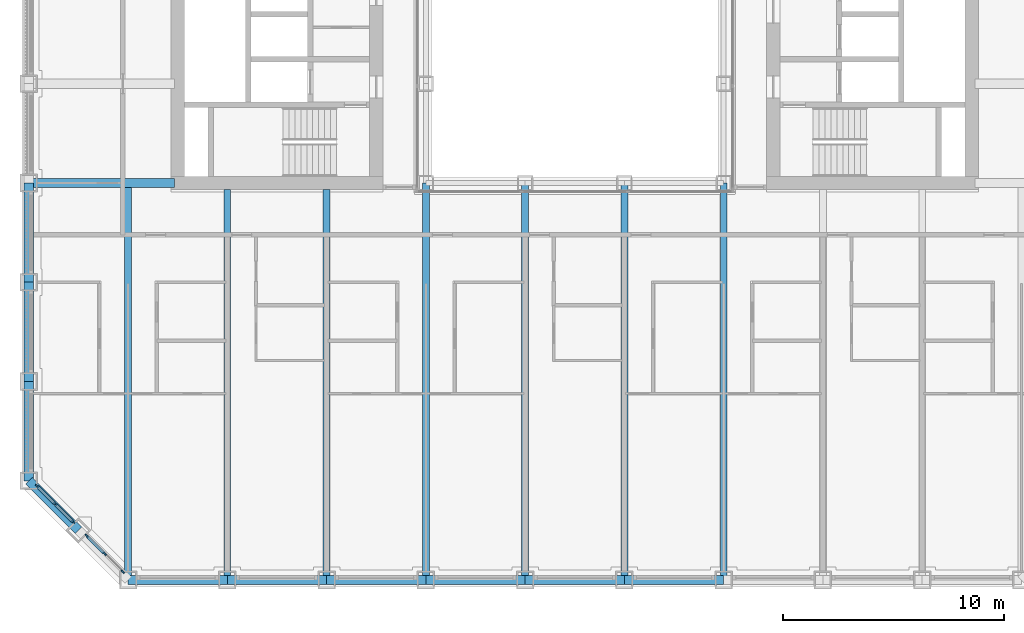
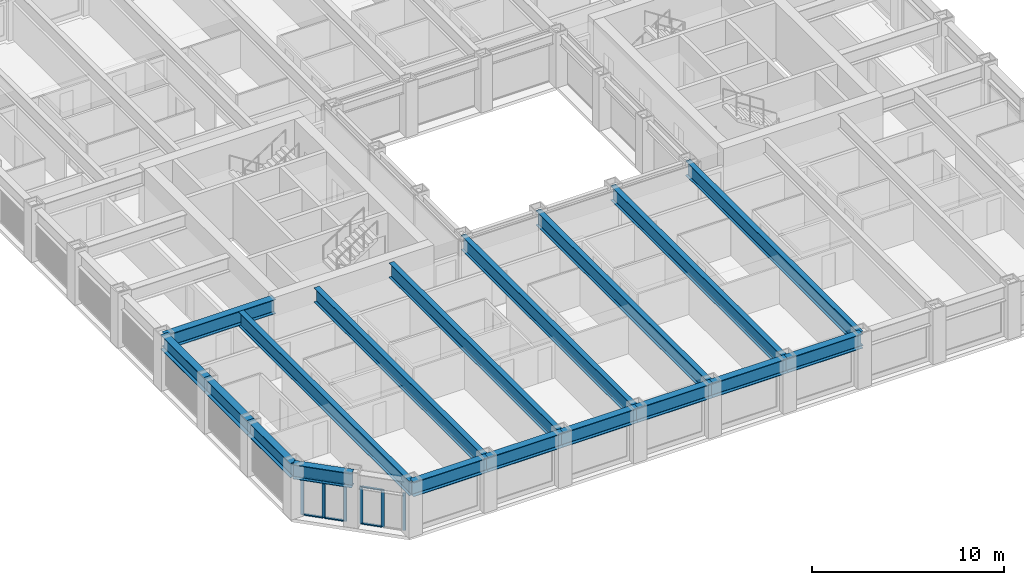
# One storey, part 2 of 21: 18 beams, 12 members, 2 elements without a shape of their own.
"""IFC4 building model written with IfcOpenShell, lengths in metres."""

from ifc_helpers import new_model, si_unit, direction, frame, origin, origin_2d, place, context, subcontext, project, spatial, rectangle, i_section, extrude, material, material_profile, profile_set, type_object, element, aggregate, save


model = new_model("IFC4")

# Units and contexts
model_context = context("Model", 3, precision=1e-05, world=origin(), true_north=direction((0.0, 1.0)))
body_context = subcontext(model_context, "Body", "Model", "MODEL_VIEW")
ifc_project = project(units=[si_unit("LENGTHUNIT", "METRE"), si_unit("AREAUNIT", "SQUARE_METRE"), si_unit("VOLUMEUNIT", "CUBIC_METRE"), si_unit("PLANEANGLEUNIT", "RADIAN"), si_unit("MASSUNIT", "GRAM", prefix="KILO")], contexts=[model_context])

# Site, building, storey
site_placement = place(None, origin())
site = spatial("IfcSite", under=ifc_project, at=site_placement, CompositionType="ELEMENT")
building_placement = place(site_placement, origin())
building = spatial("IfcBuilding", under=site, at=building_placement, Name="Msasa Ring Tower", CompositionType="ELEMENT")
storey_placement = place(building_placement, frame((0.0, 0.0, 44.0)))
storey = spatial("IfcBuildingStorey", under=building, at=storey_placement, Name="L10", CompositionType="ELEMENT", Elevation=44.0)

# Curtain wall, members
ifc_material_1 = material(Name="Aluminium curtain wall with clear glass", Category="aluminium")
curtain_wall_type = type_object("IfcCurtainWallType", Name="CW-C CHAMFER CORNER CURTAIN WALL", PredefinedType="NOTDEFINED", material=ifc_material_1)
curtain_wall_1_placement = place(storey_placement, origin())
curtain_wall_1 = element("IfcCurtainWall", 1, at=curtain_wall_1_placement, inside=storey, type_object=curtain_wall_type, Name="Chamfer corner curtain wall SW L10", PredefinedType="NOTDEFINED")
ifc_material_2 = material(Name="Aluminium mullion", Category="aluminium")
ifc_material_profile_1 = material_profile(ifc_material_2, rectangle(XDim=0.06494140625, YDim=0.179931640625, at=origin_2d()), Name="AL 65x180")
ifc_profile_set_1 = profile_set([ifc_material_profile_1], Name="Aluminium mullion")
member_type_1 = type_object("IfcMemberType", Name="CW-C MULLION 65x180", PredefinedType="MULLION", material=ifc_profile_set_1)
member_1_placement = place(storey_placement, frame((-24.369873046875, -20.48876953125, 0.0), z_axis=(0.0, 0.0, 1.0), x_axis=(0.707106781187, 0.707106781187, 0.0)))
member_1 = element("IfcMember", 2, at=member_1_placement, type_object=member_type_1, Name="CW-C mullion 1", PredefinedType="MULLION", context=body_context, shape_type="SweptSolid", body=[
    extrude(rectangle(XDim=0.06494140625, YDim=0.179931640625, at=origin_2d()), origin(), (0.0, 0.0, 1.0), 2.37890625),
])
member_2_placement = place(storey_placement, frame((-23.55419921875, -21.30419921875, 0.0), z_axis=(0.0, 0.0, 1.0), x_axis=(0.707106781187, 0.707106781187, 0.0)))
member_2 = element("IfcMember", 3, at=member_2_placement, type_object=member_type_1, Name="CW-C mullion 2", PredefinedType="MULLION", context=body_context, shape_type="SweptSolid", body=[
    extrude(rectangle(XDim=0.06494140625, YDim=0.179931640625, at=origin_2d()), origin(), (0.0, 0.0, 1.0), 2.37890625),
])
member_3_placement = place(storey_placement, frame((-22.73876953125, -22.119873046875, 0.0), z_axis=(0.0, 0.0, 1.0), x_axis=(0.707106781187, 0.707106781187, 0.0)))
member_3 = element("IfcMember", 4, at=member_3_placement, type_object=member_type_1, Name="CW-C mullion 3", PredefinedType="MULLION", context=body_context, shape_type="SweptSolid", body=[
    extrude(rectangle(XDim=0.06494140625, YDim=0.179931640625, at=origin_2d()), origin(), (0.0, 0.0, 1.0), 2.37890625),
])

curtain_wall_2_placement = place(storey_placement, origin())
curtain_wall_2 = element("IfcCurtainWall", 5, at=curtain_wall_2_placement, inside=storey, type_object=curtain_wall_type, Name="Chamfer corner curtain wall SW L10", PredefinedType="NOTDEFINED")
member_4_placement = place(storey_placement, frame((-22.119873046875, -22.73876953125, 0.0), z_axis=(0.0, 0.0, 1.0), x_axis=(0.707106781187, 0.707106781187, 0.0)))
member_4 = element("IfcMember", 6, at=member_4_placement, type_object=member_type_1, Name="CW-C mullion 1", PredefinedType="MULLION", context=body_context, shape_type="SweptSolid", body=[
    extrude(rectangle(XDim=0.06494140625, YDim=0.179931640625, at=origin_2d()), origin(), (0.0, 0.0, 1.0), 2.37890625),
])
member_5_placement = place(storey_placement, frame((-21.30419921875, -23.55419921875, 0.0), z_axis=(0.0, 0.0, 1.0), x_axis=(0.707106781187, 0.707106781187, 0.0)))
member_5 = element("IfcMember", 7, at=member_5_placement, type_object=member_type_1, Name="CW-C mullion 2", PredefinedType="MULLION", context=body_context, shape_type="SweptSolid", body=[
    extrude(rectangle(XDim=0.06494140625, YDim=0.179931640625, at=origin_2d()), origin(), (0.0, 0.0, 1.0), 2.37890625),
])
member_6_placement = place(storey_placement, frame((-20.48876953125, -24.369873046875, 0.0), z_axis=(0.0, 0.0, 1.0), x_axis=(0.707106781187, 0.707106781187, 0.0)))
member_6 = element("IfcMember", 8, at=member_6_placement, type_object=member_type_1, Name="CW-C mullion 3", PredefinedType="MULLION", context=body_context, shape_type="SweptSolid", body=[
    extrude(rectangle(XDim=0.06494140625, YDim=0.179931640625, at=origin_2d()), origin(), (0.0, 0.0, 1.0), 2.37890625),
])

# Member
ifc_material_3 = material(Name="Aluminium transom", Category="aluminium")
ifc_material_profile_2 = material_profile(ifc_material_3, rectangle(XDim=0.139892578125, YDim=0.06494140625, at=origin_2d()), Name="AL 65x140")
ifc_profile_set_2 = profile_set([ifc_material_profile_2], Name="Aluminium transom")
member_type_2 = type_object("IfcMemberType", Name="CW-C TRANSOM 65x140", PredefinedType="USERDEFINED", material=ifc_profile_set_2)
member_7_placement = place(storey_placement, frame((-24.346923828125, -20.51171875, 0.032470703125), z_axis=(0.707106781187, -0.707106781187, 0.0), x_axis=(0.707106781187, 0.707106781187, 0.0)))
member_7 = element("IfcMember", 9, at=member_7_placement, type_object=member_type_2, Name="CW-C transom 1.1", ObjectType="TRANSOM", PredefinedType="USERDEFINED", context=body_context, shape_type="SweptSolid", body=[
    extrude(rectangle(XDim=0.139892578125, YDim=0.06494140625, at=origin_2d()), origin(), (0.0, 0.0, 1.0), 1.08837890625),
])

member_8_placement = place(storey_placement, frame((-24.346923828125, -20.51171875, 2.346435546875), z_axis=(0.707106781187, -0.707106781187, 0.0), x_axis=(0.707106781187, 0.707106781187, 0.0)))
member_8 = element("IfcMember", 10, at=member_8_placement, type_object=member_type_2, Name="CW-C transom 1.2", ObjectType="TRANSOM", PredefinedType="USERDEFINED", context=body_context, shape_type="SweptSolid", body=[
    extrude(rectangle(XDim=0.139892578125, YDim=0.06494140625, at=origin_2d()), origin(), (0.0, 0.0, 1.0), 1.08837890625),
])

member_9_placement = place(storey_placement, frame((-23.53125, -21.327392578125, 0.032470703125), z_axis=(0.707106781187, -0.707106781187, 0.0), x_axis=(0.707106781187, 0.707106781187, 0.0)))
member_9 = element("IfcMember", 11, at=member_9_placement, type_object=member_type_2, Name="CW-C transom 2.1", ObjectType="TRANSOM", PredefinedType="USERDEFINED", context=body_context, shape_type="SweptSolid", body=[
    extrude(rectangle(XDim=0.139892578125, YDim=0.06494140625, at=origin_2d()), origin(), (0.0, 0.0, 1.0), 1.08837890625),
])

member_10_placement = place(storey_placement, frame((-23.53125, -21.327392578125, 2.346435546875), z_axis=(0.707106781187, -0.707106781187, 0.0), x_axis=(0.707106781187, 0.707106781187, 0.0)))
member_10 = element("IfcMember", 12, at=member_10_placement, type_object=member_type_2, Name="CW-C transom 2.2", ObjectType="TRANSOM", PredefinedType="USERDEFINED", context=body_context, shape_type="SweptSolid", body=[
    extrude(rectangle(XDim=0.139892578125, YDim=0.06494140625, at=origin_2d()), origin(), (0.0, 0.0, 1.0), 1.08837890625),
])

aggregate(curtain_wall_1, [member_1, member_2, member_3, member_7, member_8, member_9, member_10])

member_11_placement = place(storey_placement, frame((-22.096923828125, -22.76171875, 0.032470703125), z_axis=(0.707106781187, -0.707106781187, 0.0), x_axis=(0.707106781187, 0.707106781187, 0.0)))
member_11 = element("IfcMember", 13, at=member_11_placement, type_object=member_type_2, Name="CW-C transom 1.1", ObjectType="TRANSOM", PredefinedType="USERDEFINED", context=body_context, shape_type="SweptSolid", body=[
    extrude(rectangle(XDim=0.139892578125, YDim=0.06494140625, at=origin_2d()), origin(), (0.0, 0.0, 1.0), 1.08837890625),
])

member_12_placement = place(storey_placement, frame((-22.096923828125, -22.76171875, 2.346435546875), z_axis=(0.707106781187, -0.707106781187, 0.0), x_axis=(0.707106781187, 0.707106781187, 0.0)))
member_12 = element("IfcMember", 14, at=member_12_placement, type_object=member_type_2, Name="CW-C transom 1.2", ObjectType="TRANSOM", PredefinedType="USERDEFINED", context=body_context, shape_type="SweptSolid", body=[
    extrude(rectangle(XDim=0.139892578125, YDim=0.06494140625, at=origin_2d()), origin(), (0.0, 0.0, 1.0), 1.08837890625),
])

aggregate(curtain_wall_2, [member_4, member_5, member_6, member_11, member_12])

# Beams
ifc_material_4 = material(Name="Steel S355", Category="steel")
ifc_material_profile_3 = material_profile(ifc_material_4, i_section(OverallWidth=0.3076171875, OverallDepth=0.926513671875, WebThickness=0.01953125, FlangeThickness=0.031982421875, FilletRadius=0.01904296875, at=origin_2d()), Name="UB 914x305x289")
ifc_profile_set_3 = profile_set([ifc_material_profile_3], Name="Steel S355")
beam_type_1 = type_object("IfcBeamType", Name="FB3 UB 914x305x289", PredefinedType="BEAM", material=ifc_profile_set_3)
beam_1_placement = place(storey_placement, frame((-20.25, -24.75, 2.836669921875), z_axis=(0.0, 1.0, 0.0), x_axis=(-1.0, 0.0, 0.0)))
element("IfcBeam", 15, at=beam_1_placement, inside=storey, type_object=beam_type_1, Name="Floor beam S-20.25 under L11", PredefinedType="BEAM", context=body_context, shape_type="SweptSolid", body=[
    extrude(i_section(OverallWidth=0.3076171875, OverallDepth=0.926513671875, WebThickness=0.01953125, FlangeThickness=0.031982421875, FilletRadius=0.01904296875, at=origin_2d()), origin(), (0.0, 0.0, 1.0), 17.789794921875),
])
for number, where, z_axis, x_axis, name in (
    (16, (-15.75, -24.75, 2.836669921875), (0.0, 1.0, 0.0), (-1.0, 0.0, 0.0), "Floor beam S-15.75 under L11"),
    (17, (-11.25, -24.75, 2.836669921875), (0.0, 1.0, 0.0), (-1.0, 0.0, 0.0), "Floor beam S-11.25 under L11"),
):
    element("IfcBeam", number, at=place(storey_placement, frame(where, z_axis=z_axis, x_axis=x_axis)), inside=storey, type_object=beam_type_1, Name=name, PredefinedType="BEAM", context=body_context, shape_type="SweptSolid", body=[
        extrude(i_section(OverallWidth=0.3076171875, OverallDepth=0.926513671875, WebThickness=0.01953125, FlangeThickness=0.031982421875, FilletRadius=0.01904296875, at=origin_2d()), origin(), (0.0, 0.0, 1.0), 17.699951171875),
    ])
for number, where, z_axis, x_axis, name in (
    (18, (-6.75, -24.75, 2.836669921875), (0.0, 1.0, 0.0), (-1.0, 0.0, 0.0), "Floor beam S-6.75 under L11"),
    (19, (-2.25, -24.75, 2.836669921875), (0.0, 1.0, 0.0), (-1.0, 0.0, 0.0), "Floor beam S-2.25 under L11"),
    (20, (2.25, -24.75, 2.836669921875), (0.0, 1.0, 0.0), (-1.0, 0.0, 0.0), "Floor beam S+2.25 under L11"),
    (21, (6.75, -24.75, 2.836669921875), (0.0, 1.0, 0.0), (-1.0, 0.0, 0.0), "Floor beam S+6.75 under L11"),
):
    element("IfcBeam", number, at=place(storey_placement, frame(where, z_axis=z_axis, x_axis=x_axis)), inside=storey, type_object=beam_type_1, Name=name, PredefinedType="BEAM", context=body_context, shape_type="SweptSolid", body=[
        extrude(i_section(OverallWidth=0.3076171875, OverallDepth=0.926513671875, WebThickness=0.01953125, FlangeThickness=0.031982421875, FilletRadius=0.01904296875, at=origin_2d()), origin(), (0.0, 0.0, 1.0), 18.0),
    ])
ifc_material_5 = material(Name="Steel S355", Category="steel")
ifc_material_profile_4 = material_profile(ifc_material_5, i_section(OverallWidth=0.42041015625, OverallDepth=0.9208984375, WebThickness=0.021484375, FlangeThickness=0.03662109375, FilletRadius=0.024169921875, at=origin_2d()), Name="UB 914x419x388")
ifc_profile_set_4 = profile_set([ifc_material_profile_4], Name="Steel S355")
beam_type_2 = type_object("IfcBeamType", Name="GB1 UB 914x419x388", PredefinedType="BEAM", material=ifc_profile_set_4)
beam_2_placement = place(storey_placement, frame((-18.14990234375, -6.75, 2.839599609375), z_axis=(-1.0, 0.0, 0.0), x_axis=(0.0, -1.0, 0.0)))
element("IfcBeam", 22, at=beam_2_placement, inside=storey, type_object=beam_type_2, Name="Girder W -6.75 under L11", PredefinedType="BEAM", context=body_context, shape_type="SweptSolid", body=[
    extrude(i_section(OverallWidth=0.42041015625, OverallDepth=0.9208984375, WebThickness=0.021484375, FlangeThickness=0.03662109375, FilletRadius=0.024169921875, at=origin_2d()), origin(), (0.0, 0.0, 1.0), 6.60009765625),
])
ifc_material_6 = material(Name="Steel S355", Category="steel")
ifc_material_profile_5 = material_profile(ifc_material_6, i_section(OverallWidth=0.42041015625, OverallDepth=0.9208984375, WebThickness=0.021484375, FlangeThickness=0.03662109375, FilletRadius=0.024169921875, at=origin_2d()), Name="UB 914x419x388")
ifc_profile_set_5 = profile_set([ifc_material_profile_5], Name="Steel S355")
beam_type_3 = type_object("IfcBeamType", Name="SB1 UB 914x419x388", PredefinedType="SPANDREL", material=ifc_profile_set_5)
for number, where, z_axis, x_axis, name in (
    (23, (-24.75, -6.75, 2.839599609375), (0.0, -1.0, 0.0), (1.0, 0.0, 0.0), "Spandrel W-6.75 to W-11.25 under L11"),
    (24, (-24.75, -11.25, 2.839599609375), (0.0, -1.0, 0.0), (1.0, 0.0, 0.0), "Spandrel W-11.25 to W-15.75 under L11"),
    (25, (-24.75, -15.75, 2.839599609375), (0.0, -1.0, 0.0), (1.0, 0.0, 0.0), "Spandrel W-15.75 to W-20.25 under L11"),
):
    element("IfcBeam", number, at=place(storey_placement, frame(where, z_axis=z_axis, x_axis=x_axis)), inside=storey, type_object=beam_type_3, Name=name, PredefinedType="SPANDREL", context=body_context, shape_type="SweptSolid", body=[
        extrude(i_section(OverallWidth=0.42041015625, OverallDepth=0.9208984375, WebThickness=0.021484375, FlangeThickness=0.03662109375, FilletRadius=0.024169921875, at=origin_2d()), origin(), (0.0, 0.0, 1.0), 4.5),
    ])
beam_3_placement = place(storey_placement, frame((-24.75, -20.25, 2.839599609375), z_axis=(0.707106781187, -0.707106781187, 0.0), x_axis=(0.707106781187, 0.707106781187, 0.0)))
element("IfcBeam", 26, at=beam_3_placement, inside=storey, type_object=beam_type_3, Name="Spandrel W-20.25 to SW under L11", PredefinedType="SPANDREL", context=body_context, shape_type="SweptSolid", body=[
    extrude(i_section(OverallWidth=0.42041015625, OverallDepth=0.9208984375, WebThickness=0.021484375, FlangeThickness=0.03662109375, FilletRadius=0.024169921875, at=origin_2d()), origin(), (0.0, 0.0, 1.0), 3.181884765625),
])
for number, where, z_axis, x_axis, name in (
    (27, (-20.25, -24.75, 2.839599609375), (1.0, 0.0, 0.0), (0.0, 1.0, 0.0), "Spandrel S-20.25 to S-15.75 under L11"),
    (28, (-15.75, -24.75, 2.839599609375), (1.0, 0.0, 0.0), (0.0, 1.0, 0.0), "Spandrel S-15.75 to S-11.25 under L11"),
    (29, (-11.25, -24.75, 2.839599609375), (1.0, 0.0, 0.0), (0.0, 1.0, 0.0), "Spandrel S-11.25 to S-6.75 under L11"),
    (30, (-6.75, -24.75, 2.839599609375), (1.0, 0.0, 0.0), (0.0, 1.0, 0.0), "Spandrel S-6.75 to S-2.25 under L11"),
    (31, (-2.25, -24.75, 2.839599609375), (1.0, 0.0, 0.0), (0.0, 1.0, 0.0), "Spandrel S-2.25 to S+2.25 under L11"),
    (32, (2.25, -24.75, 2.839599609375), (1.0, 0.0, 0.0), (0.0, 1.0, 0.0), "Spandrel S+2.25 to S+6.75 under L11"),
):
    element("IfcBeam", number, at=place(storey_placement, frame(where, z_axis=z_axis, x_axis=x_axis)), inside=storey, type_object=beam_type_3, Name=name, PredefinedType="SPANDREL", context=body_context, shape_type="SweptSolid", body=[
        extrude(i_section(OverallWidth=0.42041015625, OverallDepth=0.9208984375, WebThickness=0.021484375, FlangeThickness=0.03662109375, FilletRadius=0.024169921875, at=origin_2d()), origin(), (0.0, 0.0, 1.0), 4.5),
    ])

save(model, "model.ifc")
